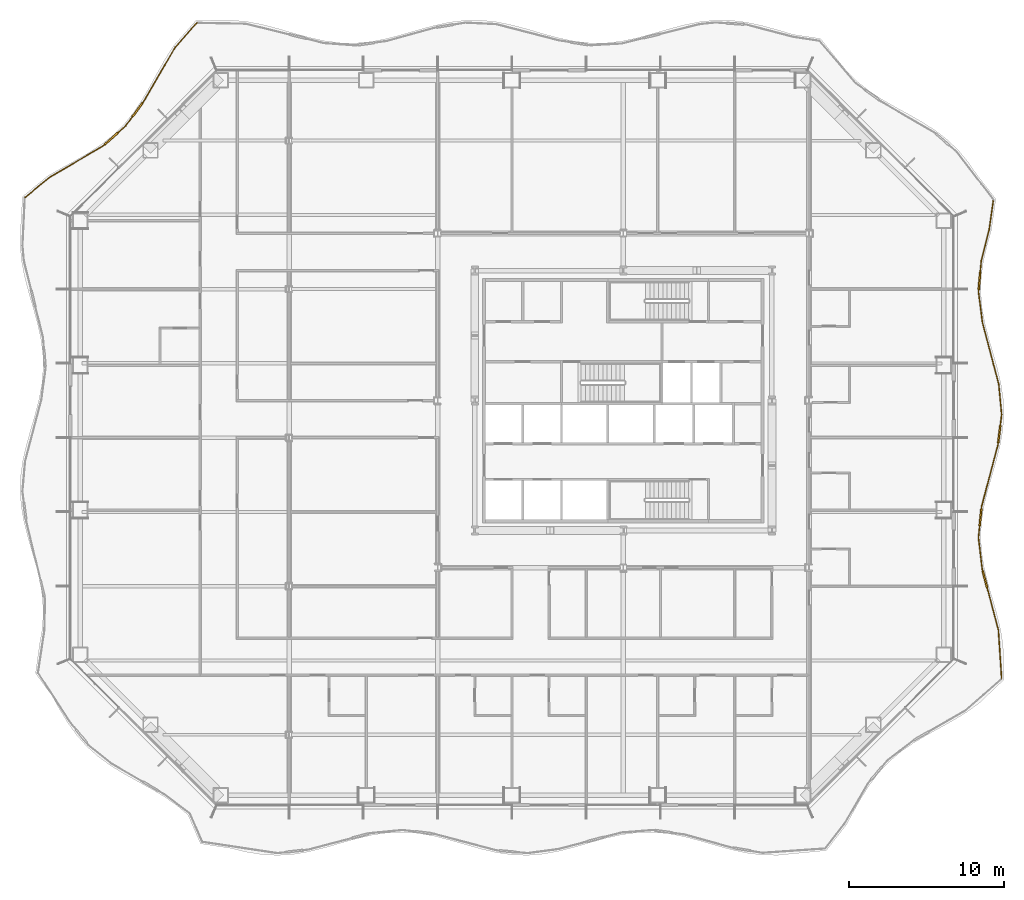
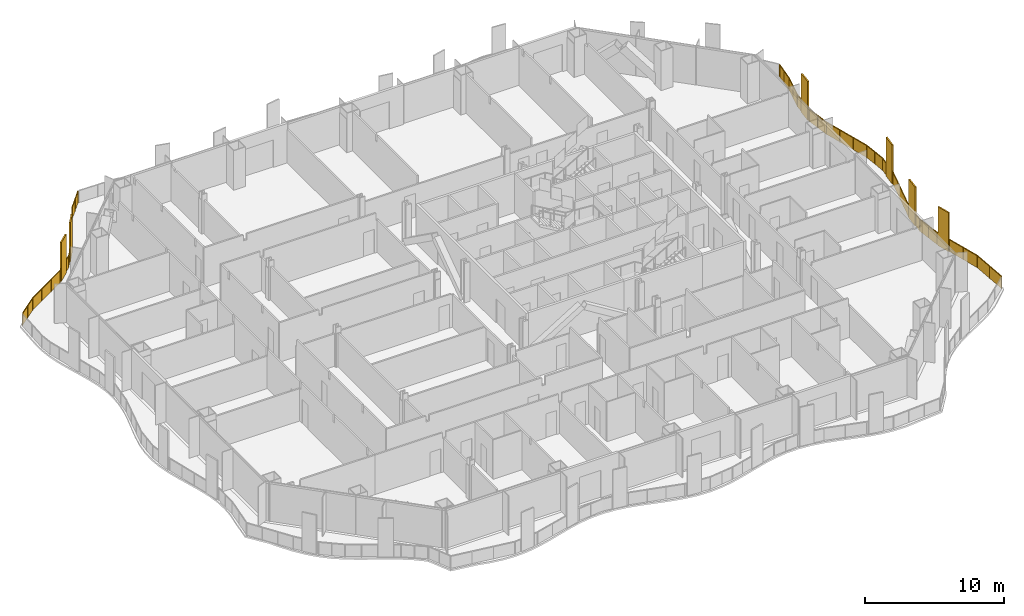
# One storey, part 19 of 21: 2 railings.
"""IFC4 building model written with IfcOpenShell, lengths in metres."""

from ifc_helpers import new_model, si_unit, direction, frame, origin, origin_2d, place, context, subcontext, project, spatial, polyline, rectangle, outline, extrude, material, type_object, element, save


model = new_model("IFC4")

# Units and contexts
model_context = context("Model", 3, precision=1e-05, world=origin(), true_north=direction((0.0, 1.0)))
body_context = subcontext(model_context, "Body", "Model", "MODEL_VIEW")
ifc_project = project(units=[si_unit("LENGTHUNIT", "METRE"), si_unit("AREAUNIT", "SQUARE_METRE"), si_unit("VOLUMEUNIT", "CUBIC_METRE"), si_unit("PLANEANGLEUNIT", "RADIAN"), si_unit("MASSUNIT", "GRAM", prefix="KILO")], contexts=[model_context])

# Site, building, storey
site_placement = place(None, origin())
site = spatial("IfcSite", under=ifc_project, at=site_placement, CompositionType="ELEMENT")
building_placement = place(site_placement, origin())
building = spatial("IfcBuilding", under=site, at=building_placement, Name="Cairn Pilgrim Tower", CompositionType="ELEMENT")
storey_placement = place(building_placement, frame((0.0, 0.0, 43.800048828125)))
storey = spatial("IfcBuildingStorey", under=building, at=storey_placement, Name="L08", CompositionType="ELEMENT", Elevation=43.800048828125)

# Railings
ifc_material = material(Name="Bronze anodised aluminium rail, posts and fin screens with laminated glass infill", Category="aluminium")
railing_type = type_object("IfcRailingType", Name="BALCONY GUARD WITH FIN SCREENS", PredefinedType="GUARDRAIL", material=ifc_material)
railing_1_placement = place(storey_placement, frame((31.6455078125, -15.57861328125, 0.0)))
element("IfcRailing", 1, at=railing_1_placement, inside=storey, type_object=railing_type, Name="Balcony guard BGF-3 with fin screens", PredefinedType="GUARDRAIL", context=body_context, shape_type="SweptSolid", body=[
    extrude(rectangle(XDim=0.050048828125, YDim=0.050048828125, at=origin_2d()), frame((0.0, 0.0, 1.0751953125), z_axis=(-0.065551006048, 0.997849219875, 0.0), x_axis=(-0.997849219875, -0.065551006048, 0.0)), (0.0, 0.0, 1.0), 3.147216796875),
    extrude(rectangle(XDim=1.10009765625, YDim=0.110107421875, at=origin_2d()), frame((-1.080078125, 6.4326171875, 0.0), z_axis=(0.0, 0.0, 1.0), x_axis=(-0.256555993458, 0.966529369559, 0.0)), (0.0, 0.0, 1.0), 3.39990234375),
    extrude(rectangle(XDim=0.050048828125, YDim=0.050048828125, at=origin_2d()), frame((-0.206298828125, 3.140380859375, 1.0751953125), z_axis=(-0.256555993458, 0.966529369559, 0.0), x_axis=(-0.966529369559, -0.256555993458, 0.0)), (0.0, 0.0, 1.0), 2.856201171875),
    extrude(rectangle(XDim=0.050048828125, YDim=0.050048828125, at=origin_2d()), frame((-1.22119140625, 6.964111328125, 1.0751953125), z_axis=(-0.256555993458, 0.966529369559, 0.0), x_axis=(-0.966529369559, -0.256555993458, 0.0)), (0.0, 0.0, 1.0), 0.150146484375),
    extrude(rectangle(XDim=0.050048828125, YDim=0.050048828125, at=origin_2d()), frame((-1.259765625, 7.109130859375, 1.0751953125), z_axis=(-0.116589668222, 0.993180169588, 0.0), x_axis=(-0.993180169588, -0.116589668222, 0.0)), (0.0, 0.0, 1.0), 2.027099609375),
    extrude(rectangle(XDim=1.10009765625, YDim=0.110107421875, at=origin_2d()), frame((-1.363037109375, 10.440185546875, 0.0), z_axis=(0.0, 0.0, 1.0), x_axis=(0.100458912253, 0.994941207785, 0.0)), (0.0, 0.0, 1.0), 3.39990234375),
    extrude(rectangle(XDim=0.050048828125, YDim=0.050048828125, at=origin_2d()), frame((-1.49609375, 9.122314453125, 1.0751953125), z_axis=(0.100458912253, 0.994941207785, 0.0), x_axis=(-0.994941207785, 0.100458912253, 0.0)), (0.0, 0.0, 1.0), 0.7744140625),
    extrude(rectangle(XDim=0.050048828125, YDim=0.050048828125, at=origin_2d()), frame((-1.307861328125, 10.9873046875, 1.0751953125), z_axis=(0.100458912253, 0.994941207785, 0.0), x_axis=(-0.994941207785, 0.100458912253, 0.0)), (0.0, 0.0, 1.0), 0.14990234375),
    extrude(rectangle(XDim=0.050048828125, YDim=0.050048828125, at=origin_2d()), frame((-1.292724609375, 11.136474609375, 1.0751953125), z_axis=(0.256453944866, 0.966556451617, 0.0), x_axis=(-0.966556451617, 0.256453944866, 0.0)), (0.0, 0.0, 1.0), 4.111572265625),
    extrude(rectangle(XDim=1.10009765625, YDim=0.110107421875, at=origin_2d()), frame((-0.15283203125, 15.80517578125, 0.0), z_axis=(0.0, 0.0, 1.0), x_axis=(0.122040892864, 0.992525072967, 0.0)), (0.0, 0.0, 1.0), 3.39990234375),
    extrude(rectangle(XDim=0.050048828125, YDim=0.050048828125, at=origin_2d()), frame((-0.23828125, 15.110595703125, 1.0751953125), z_axis=(0.122040892864, 0.992525072967, 0.0), x_axis=(-0.992525072967, 0.122040892864, 0.0)), (0.0, 0.0, 1.0), 0.14990234375),
    extrude(rectangle(XDim=0.050048828125, YDim=0.050048828125, at=origin_2d()), frame((-0.085693359375, 16.35107421875, 1.0751953125), z_axis=(0.122040892864, 0.992525072967, 0.0), x_axis=(-0.992525072967, 0.122040892864, 0.0)), (0.0, 0.0, 1.0), 0.724609375),
    extrude(rectangle(XDim=0.050048828125, YDim=0.050048828125, at=origin_2d()), frame((0.002685546875, 17.0703125, 1.0751953125), z_axis=(-0.094721215654, 0.995503837916, 0.0), x_axis=(-0.995503837916, -0.094721215654, 0.0)), (0.0, 0.0, 1.0), 1.966552734375),
    extrude(rectangle(XDim=0.050048828125, YDim=0.050048828125, at=origin_2d()), frame((-0.18359375, 19.028076171875, 1.0751953125), z_axis=(-0.256149073631, 0.966637290858, 0.0), x_axis=(-0.966637290858, -0.256149073631, 0.0)), (0.0, 0.0, 1.0), 4.10693359375),
    extrude(rectangle(XDim=0.050048828125, YDim=0.050048828125, at=origin_2d()), frame((-1.235595703125, 22.998046875, 1.0751953125), z_axis=(-0.12755894813, 0.991830991022, 0.0), x_axis=(-0.991830991022, -0.12755894813, 0.0)), (0.0, 0.0, 1.0), 2.02880859375),
    extrude(rectangle(XDim=1.10009765625, YDim=0.110107421875, at=origin_2d()), frame((-1.43212890625, 25.707275390625, 0.0), z_axis=(0.0, 0.0, 1.0), x_axis=(0.088848531032, 0.996045148843, 0.0)), (0.0, 0.0, 1.0), 3.39990234375),
    extrude(rectangle(XDim=0.050048828125, YDim=0.050048828125, at=origin_2d()), frame((-1.494384765625, 25.01025390625, 1.0751953125), z_axis=(0.088848531032, 0.996045148843, 0.0), x_axis=(-0.996045148843, 0.088848531032, 0.0)), (0.0, 0.0, 1.0), 0.14990234375),
    extrude(rectangle(XDim=0.050048828125, YDim=0.050048828125, at=origin_2d()), frame((-1.38330078125, 26.255126953125, 1.0751953125), z_axis=(0.088848531032, 0.996045148843, 0.0), x_axis=(-0.996045148843, 0.088848531032, 0.0)), (0.0, 0.0, 1.0), 0.7724609375),
    extrude(rectangle(XDim=0.050048828125, YDim=0.050048828125, at=origin_2d()), frame((-1.314697265625, 27.024658203125, 1.0751953125), z_axis=(0.247342884955, 0.968928014489, 0.0), x_axis=(-0.968928014489, 0.247342884955, 0.0)), (0.0, 0.0, 1.0), 2.053955078125),
    extrude(rectangle(XDim=0.050048828125, YDim=0.050048828125, at=origin_2d()), frame((-0.806640625, 29.014892578125, 1.0751953125), z_axis=(0.14167218954, 0.989913627904, 0.0), x_axis=(-0.989913627904, 0.14167218954, 0.0)), (0.0, 0.0, 1.0), 1.90771484375),
    extrude(rectangle(XDim=0.050048828125, YDim=0.050048828125, at=origin_2d()), origin(), (0.0, 0.0, 1.0), 1.050048828125),
    extrude(rectangle(XDim=0.050048828125, YDim=0.050048828125, at=origin_2d()), frame((-0.10302734375, 1.5703125, 0.0)), (0.0, 0.0, 1.0), 1.050048828125),
    extrude(rectangle(XDim=0.050048828125, YDim=0.050048828125, at=origin_2d()), frame((-0.206298828125, 3.140380859375, 0.0)), (0.0, 0.0, 1.0), 1.050048828125),
    extrude(rectangle(XDim=0.050048828125, YDim=0.050048828125, at=origin_2d()), frame((-0.569580078125, 4.508544921875, 0.0)), (0.0, 0.0, 1.0), 1.050048828125),
    extrude(rectangle(XDim=0.050048828125, YDim=0.050048828125, at=origin_2d()), frame((-0.9326171875, 5.876708984375, 0.0)), (0.0, 0.0, 1.0), 1.050048828125),
    extrude(rectangle(XDim=0.050048828125, YDim=0.050048828125, at=origin_2d()), frame((-1.227783203125, 6.98828125, 0.0)), (0.0, 0.0, 1.0), 1.050048828125),
    extrude(rectangle(XDim=0.050048828125, YDim=0.050048828125, at=origin_2d()), frame((-1.259765625, 7.109130859375, 0.0)), (0.0, 0.0, 1.0), 1.050048828125),
    extrude(rectangle(XDim=0.050048828125, YDim=0.050048828125, at=origin_2d()), frame((-1.3779296875, 8.11572265625, 0.0)), (0.0, 0.0, 1.0), 1.050048828125),
    extrude(rectangle(XDim=0.050048828125, YDim=0.050048828125, at=origin_2d()), frame((-1.49609375, 9.122314453125, 0.0)), (0.0, 0.0, 1.0), 1.050048828125),
    extrude(rectangle(XDim=0.050048828125, YDim=0.050048828125, at=origin_2d()), frame((-1.4208984375, 9.867919921875, 0.0)), (0.0, 0.0, 1.0), 1.050048828125),
    extrude(rectangle(XDim=0.050048828125, YDim=0.050048828125, at=origin_2d()), frame((-1.30517578125, 11.01220703125, 0.0)), (0.0, 0.0, 1.0), 1.050048828125),
    extrude(rectangle(XDim=0.050048828125, YDim=0.050048828125, at=origin_2d()), frame((-1.292724609375, 11.136474609375, 0.0)), (0.0, 0.0, 1.0), 1.050048828125),
    extrude(rectangle(XDim=0.050048828125, YDim=0.050048828125, at=origin_2d()), frame((-0.941162109375, 12.461181640625, 0.0)), (0.0, 0.0, 1.0), 1.050048828125),
    extrude(rectangle(XDim=0.050048828125, YDim=0.050048828125, at=origin_2d()), frame((-0.58984375, 13.785888671875, 0.0)), (0.0, 0.0, 1.0), 1.050048828125),
    extrude(rectangle(XDim=0.050048828125, YDim=0.050048828125, at=origin_2d()), frame((-0.23828125, 15.110595703125, 0.0)), (0.0, 0.0, 1.0), 1.050048828125),
    extrude(rectangle(XDim=0.050048828125, YDim=0.050048828125, at=origin_2d()), frame((-0.22314453125, 15.234619140625, 0.0)), (0.0, 0.0, 1.0), 1.050048828125),
    extrude(rectangle(XDim=0.050048828125, YDim=0.050048828125, at=origin_2d()), frame((-0.082763671875, 16.3759765625, 0.0)), (0.0, 0.0, 1.0), 1.050048828125),
    extrude(rectangle(XDim=0.050048828125, YDim=0.050048828125, at=origin_2d()), frame((0.002685546875, 17.0703125, 0.0)), (0.0, 0.0, 1.0), 1.050048828125),
    extrude(rectangle(XDim=0.050048828125, YDim=0.050048828125, at=origin_2d()), frame((-0.09033203125, 18.04931640625, 0.0)), (0.0, 0.0, 1.0), 1.050048828125),
    extrude(rectangle(XDim=0.050048828125, YDim=0.050048828125, at=origin_2d()), frame((-0.18359375, 19.028076171875, 0.0)), (0.0, 0.0, 1.0), 1.050048828125),
    extrude(rectangle(XDim=0.050048828125, YDim=0.050048828125, at=origin_2d()), frame((-0.5341796875, 20.351318359375, 0.0)), (0.0, 0.0, 1.0), 1.050048828125),
    extrude(rectangle(XDim=0.050048828125, YDim=0.050048828125, at=origin_2d()), frame((-0.885009765625, 21.6748046875, 0.0)), (0.0, 0.0, 1.0), 1.050048828125),
    extrude(rectangle(XDim=0.050048828125, YDim=0.050048828125, at=origin_2d()), frame((-1.235595703125, 22.998046875, 0.0)), (0.0, 0.0, 1.0), 1.050048828125),
    extrude(rectangle(XDim=0.050048828125, YDim=0.050048828125, at=origin_2d()), frame((-1.364990234375, 24.004150390625, 0.0)), (0.0, 0.0, 1.0), 1.050048828125),
    extrude(rectangle(XDim=0.050048828125, YDim=0.050048828125, at=origin_2d()), frame((-1.494384765625, 25.01025390625, 0.0)), (0.0, 0.0, 1.0), 1.050048828125),
    extrude(rectangle(XDim=0.050048828125, YDim=0.050048828125, at=origin_2d()), frame((-1.4833984375, 25.134521484375, 0.0)), (0.0, 0.0, 1.0), 1.050048828125),
    extrude(rectangle(XDim=0.050048828125, YDim=0.050048828125, at=origin_2d()), frame((-1.381103515625, 26.280029296875, 0.0)), (0.0, 0.0, 1.0), 1.050048828125),
    extrude(rectangle(XDim=0.050048828125, YDim=0.050048828125, at=origin_2d()), frame((-1.314697265625, 27.024658203125, 0.0)), (0.0, 0.0, 1.0), 1.050048828125),
    extrude(rectangle(XDim=0.050048828125, YDim=0.050048828125, at=origin_2d()), frame((-1.060546875, 28.019775390625, 0.0)), (0.0, 0.0, 1.0), 1.050048828125),
    extrude(rectangle(XDim=0.050048828125, YDim=0.050048828125, at=origin_2d()), frame((-0.806640625, 29.014892578125, 0.0)), (0.0, 0.0, 1.0), 1.050048828125),
    extrude(rectangle(XDim=0.050048828125, YDim=0.050048828125, at=origin_2d()), frame((-0.67138671875, 29.958984375, 0.0)), (0.0, 0.0, 1.0), 1.050048828125),
    extrude(rectangle(XDim=0.050048828125, YDim=0.050048828125, at=origin_2d()), frame((-0.536376953125, 30.9033203125, 0.0)), (0.0, 0.0, 1.0), 1.050048828125),
    extrude(outline(polyline([(0.02490234375, 0.0), (1.548583984375, 0.0), (1.548583984375, 1.050048828125), (0.02490234375, 1.050048828125), (0.02490234375, 0.0)])), frame((-0.005859375, -0.00048828125, 0.0), z_axis=(0.997849219875, 0.065551006048, 0.0), x_axis=(-0.065551006048, 0.997849219875, 0.0)), (0.0, 0.0, 1.0), 0.011962890625),
    extrude(outline(polyline([(0.02490234375, 0.0), (1.548583984375, 0.0), (1.548583984375, 1.050048828125), (0.02490234375, 1.050048828125), (0.02490234375, 0.0)])), frame((-0.109130859375, 1.56982421875, 0.0), z_axis=(0.997849219875, 0.065551006048, 0.0), x_axis=(-0.065551006048, 0.997849219875, 0.0)), (0.0, 0.0, 1.0), 0.011962890625),
    extrude(outline(polyline([(0.02490234375, 0.0), (1.390625, 0.0), (1.390625, 1.050048828125), (0.02490234375, 1.050048828125), (0.02490234375, 0.0)])), frame((-0.212158203125, 3.138916015625, 0.0), z_axis=(0.966529369559, 0.256555993458, 0.0), x_axis=(-0.256555993458, 0.966529369559, 0.0)), (0.0, 0.0, 1.0), 0.011962890625),
    extrude(outline(polyline([(0.02490234375, 0.0), (1.390625, 0.0), (1.390625, 1.050048828125), (0.02490234375, 1.050048828125), (0.02490234375, 0.0)])), frame((-0.5751953125, 4.507080078125, 0.0), z_axis=(0.966529369559, 0.256555993458, 0.0), x_axis=(-0.256555993458, 0.966529369559, 0.0)), (0.0, 0.0, 1.0), 0.011962890625),
    extrude(outline(polyline([(0.02490234375, 0.0), (0.10009765625, 0.0), (0.10009765625, 1.050048828125), (0.02490234375, 1.050048828125), (0.02490234375, 0.0)])), frame((-1.2333984375, 6.98681640625, 0.0), z_axis=(0.966529369559, 0.256555993458, 0.0), x_axis=(-0.256555993458, 0.966529369559, 0.0)), (0.0, 0.0, 1.0), 0.011962890625),
    extrude(outline(polyline([(0.02490234375, 0.0), (0.988525390625, 0.0), (0.988525390625, 1.050048828125), (0.02490234375, 1.050048828125), (0.02490234375, 0.0)])), frame((-1.265625, 7.1083984375, 0.0), z_axis=(0.993180169588, 0.116589668222, 0.0), x_axis=(-0.116589668222, 0.993180169588, 0.0)), (0.0, 0.0, 1.0), 0.011962890625),
    extrude(outline(polyline([(0.02490234375, 0.0), (0.988525390625, 0.0), (0.988525390625, 1.050048828125), (0.02490234375, 1.050048828125), (0.02490234375, 0.0)])), frame((-1.3837890625, 8.114990234375, 0.0), z_axis=(0.993180169588, 0.116589668222, 0.0), x_axis=(-0.116589668222, 0.993180169588, 0.0)), (0.0, 0.0, 1.0), 0.011962890625),
    extrude(outline(polyline([(0.02490234375, 0.0), (0.724365234375, 0.0), (0.724365234375, 1.050048828125), (0.02490234375, 1.050048828125), (0.02490234375, 0.0)])), frame((-1.501953125, 9.122802734375, 0.0), z_axis=(0.994941207785, -0.100458912253, 0.0), x_axis=(0.100458912253, 0.994941207785, 0.0)), (0.0, 0.0, 1.0), 0.011962890625),
    extrude(outline(polyline([(0.02490234375, 0.0), (0.099853515625, 0.0), (0.099853515625, 1.050048828125), (0.02490234375, 1.050048828125), (0.02490234375, 0.0)])), frame((-1.311279296875, 11.0126953125, 0.0), z_axis=(0.994941207785, -0.100458912253, 0.0), x_axis=(0.100458912253, 0.994941207785, 0.0)), (0.0, 0.0, 1.0), 0.011962890625),
    extrude(outline(polyline([(0.02490234375, 0.0), (1.345458984375, 0.0), (1.345458984375, 1.050048828125), (0.02490234375, 1.050048828125), (0.02490234375, 0.0)])), frame((-1.298583984375, 11.137939453125, 0.0), z_axis=(0.966556451617, -0.256453944866, 0.0), x_axis=(0.256453944866, 0.966556451617, 0.0)), (0.0, 0.0, 1.0), 0.011962890625),
    extrude(outline(polyline([(0.02490234375, 0.0), (1.345458984375, 0.0), (1.345458984375, 1.050048828125), (0.02490234375, 1.050048828125), (0.02490234375, 0.0)])), frame((-0.947021484375, 12.462646484375, 0.0), z_axis=(0.966556451617, -0.256453944866, 0.0), x_axis=(0.256453944866, 0.966556451617, 0.0)), (0.0, 0.0, 1.0), 0.011962890625),
    extrude(outline(polyline([(0.02490234375, 0.0), (1.345458984375, 0.0), (1.345458984375, 1.050048828125), (0.02490234375, 1.050048828125), (0.02490234375, 0.0)])), frame((-0.595458984375, 13.787353515625, 0.0), z_axis=(0.966556451617, -0.256453944866, 0.0), x_axis=(0.256453944866, 0.966556451617, 0.0)), (0.0, 0.0, 1.0), 0.011962890625),
    extrude(outline(polyline([(0.02490234375, 0.0), (0.099853515625, 0.0), (0.099853515625, 1.050048828125), (0.02490234375, 1.050048828125), (0.02490234375, 0.0)])), frame((-0.244140625, 15.111328125, 0.0), z_axis=(0.992525072967, -0.122040892864, 0.0), x_axis=(0.122040892864, 0.992525072967, 0.0)), (0.0, 0.0, 1.0), 0.011962890625),
    extrude(outline(polyline([(0.02490234375, 0.0), (0.674560546875, 0.0), (0.674560546875, 1.050048828125), (0.02490234375, 1.050048828125), (0.02490234375, 0.0)])), frame((-0.088623046875, 16.376708984375, 0.0), z_axis=(0.992525072967, -0.122040892864, 0.0), x_axis=(0.122040892864, 0.992525072967, 0.0)), (0.0, 0.0, 1.0), 0.011962890625),
    extrude(outline(polyline([(0.02490234375, 0.0), (0.958251953125, 0.0), (0.958251953125, 1.050048828125), (0.02490234375, 1.050048828125), (0.02490234375, 0.0)])), frame((-0.003173828125, 17.06982421875, 0.0), z_axis=(0.995503837916, 0.094721215654, 0.0), x_axis=(-0.094721215654, 0.995503837916, 0.0)), (0.0, 0.0, 1.0), 0.011962890625),
    extrude(outline(polyline([(0.02490234375, 0.0), (0.958251953125, 0.0), (0.958251953125, 1.050048828125), (0.02490234375, 1.050048828125), (0.02490234375, 0.0)])), frame((-0.096435546875, 18.048583984375, 0.0), z_axis=(0.995503837916, 0.094721215654, 0.0), x_axis=(-0.094721215654, 0.995503837916, 0.0)), (0.0, 0.0, 1.0), 0.011962890625),
    extrude(outline(polyline([(0.02490234375, 0.0), (1.343994140625, 0.0), (1.343994140625, 1.050048828125), (0.02490234375, 1.050048828125), (0.02490234375, 0.0)])), frame((-0.189453125, 19.026611328125, 0.0), z_axis=(0.966637290858, 0.256149073631, 0.0), x_axis=(-0.256149073631, 0.966637290858, 0.0)), (0.0, 0.0, 1.0), 0.011962890625),
    extrude(outline(polyline([(0.02490234375, 0.0), (1.343994140625, 0.0), (1.343994140625, 1.050048828125), (0.02490234375, 1.050048828125), (0.02490234375, 0.0)])), frame((-0.5400390625, 20.349853515625, 0.0), z_axis=(0.966637290858, 0.256149073631, 0.0), x_axis=(-0.256149073631, 0.966637290858, 0.0)), (0.0, 0.0, 1.0), 0.011962890625),
    extrude(outline(polyline([(0.02490234375, 0.0), (1.343994140625, 0.0), (1.343994140625, 1.050048828125), (0.02490234375, 1.050048828125), (0.02490234375, 0.0)])), frame((-0.890625, 21.673095703125, 0.0), z_axis=(0.966637290858, 0.256149073631, 0.0), x_axis=(-0.256149073631, 0.966637290858, 0.0)), (0.0, 0.0, 1.0), 0.011962890625),
    extrude(outline(polyline([(0.02490234375, 0.0), (0.9892578125, 0.0), (0.9892578125, 1.050048828125), (0.02490234375, 1.050048828125), (0.02490234375, 0.0)])), frame((-1.241455078125, 22.997314453125, 0.0), z_axis=(0.991830991022, 0.12755894813, 0.0), x_axis=(-0.12755894813, 0.991830991022, 0.0)), (0.0, 0.0, 1.0), 0.011962890625),
    extrude(outline(polyline([(0.02490234375, 0.0), (0.9892578125, 0.0), (0.9892578125, 1.050048828125), (0.02490234375, 1.050048828125), (0.02490234375, 0.0)])), frame((-1.370849609375, 24.00341796875, 0.0), z_axis=(0.991830991022, 0.12755894813, 0.0), x_axis=(-0.12755894813, 0.991830991022, 0.0)), (0.0, 0.0, 1.0), 0.011962890625),
    extrude(outline(polyline([(0.02490234375, 0.0), (0.099853515625, 0.0), (0.099853515625, 1.050048828125), (0.02490234375, 1.050048828125), (0.02490234375, 0.0)])), frame((-1.500244140625, 25.0107421875, 0.0), z_axis=(0.996045148843, -0.088848531032, 0.0), x_axis=(0.088848531032, 0.996045148843, 0.0)), (0.0, 0.0, 1.0), 0.011962890625),
    extrude(outline(polyline([(0.02490234375, 0.0), (0.722412109375, 0.0), (0.722412109375, 1.050048828125), (0.02490234375, 1.050048828125), (0.02490234375, 0.0)])), frame((-1.386962890625, 26.28076171875, 0.0), z_axis=(0.996045148843, -0.088848531032, 0.0), x_axis=(0.088848531032, 0.996045148843, 0.0)), (0.0, 0.0, 1.0), 0.011962890625),
    extrude(outline(polyline([(0.02490234375, 0.0), (1.001953125, 0.0), (1.001953125, 1.050048828125), (0.02490234375, 1.050048828125), (0.02490234375, 0.0)])), frame((-1.320556640625, 27.026123046875, 0.0), z_axis=(0.968928014489, -0.247342884955, 0.0), x_axis=(0.247342884955, 0.968928014489, 0.0)), (0.0, 0.0, 1.0), 0.011962890625),
    extrude(outline(polyline([(0.02490234375, 0.0), (1.001953125, 0.0), (1.001953125, 1.050048828125), (0.02490234375, 1.050048828125), (0.02490234375, 0.0)])), frame((-1.06640625, 28.021240234375, 0.0), z_axis=(0.968928014489, -0.247342884955, 0.0), x_axis=(0.247342884955, 0.968928014489, 0.0)), (0.0, 0.0, 1.0), 0.011962890625),
    extrude(outline(polyline([(0.02490234375, 0.0), (0.9287109375, 0.0), (0.9287109375, 1.050048828125), (0.02490234375, 1.050048828125), (0.02490234375, 0.0)])), frame((-0.8125, 29.015625, 0.0), z_axis=(0.989913627904, -0.14167218954, 0.0), x_axis=(0.14167218954, 0.989913627904, 0.0)), (0.0, 0.0, 1.0), 0.011962890625),
    extrude(outline(polyline([(0.02490234375, 0.0), (0.9287109375, 0.0), (0.9287109375, 1.050048828125), (0.02490234375, 1.050048828125), (0.02490234375, 0.0)])), frame((-0.677490234375, 29.9599609375, 0.0), z_axis=(0.989913627904, -0.14167218954, 0.0), x_axis=(0.14167218954, 0.989913627904, 0.0)), (0.0, 0.0, 1.0), 0.011962890625),
])
railing_2_placement = place(storey_placement, frame((-20.36279296875, 26.816162109375, 0.0)))
element("IfcRailing", 2, at=railing_2_placement, inside=storey, type_object=railing_type, Name="Balcony guard BGF-6 with fin screens", PredefinedType="GUARDRAIL", context=body_context, shape_type="SweptSolid", body=[
    extrude(rectangle(XDim=0.050048828125, YDim=0.050048828125, at=origin_2d()), frame((0.0, 0.0, 1.0751953125), z_axis=(-0.663247382076, -0.748400233945, 0.0), x_axis=(0.748400233945, -0.663247382076, 0.0)), (0.0, 0.0, 1.0), 2.118896484375),
    extrude(rectangle(XDim=0.050048828125, YDim=0.050048828125, at=origin_2d()), frame((-1.4052734375, -1.585693359375, 1.0751953125), z_axis=(-0.502786770552, -0.864410471569, 0.0), x_axis=(0.864410471569, -0.502786770552, 0.0)), (0.0, 0.0, 1.0), 4.005615234375),
    extrude(rectangle(XDim=1.10009765625, YDim=0.110107421875, at=origin_2d()), frame((-3.833740234375, -5.6123046875, 0.0), z_axis=(0.0, 0.0, 1.0), x_axis=(-0.592082951766, -0.805877024258, 0.0)), (0.0, 0.0, 1.0), 3.39990234375),
    extrude(rectangle(XDim=0.050048828125, YDim=0.050048828125, at=origin_2d()), frame((-3.419189453125, -5.048095703125, 1.0751953125), z_axis=(-0.592082951766, -0.805877024258, 0.0), x_axis=(0.805877024258, -0.592082951766, 0.0)), (0.0, 0.0, 1.0), 0.14990234375),
    extrude(rectangle(XDim=0.050048828125, YDim=0.050048828125, at=origin_2d()), frame((-4.159423828125, -6.055419921875, 1.0751953125), z_axis=(-0.592082951766, -0.805877024258, 0.0), x_axis=(0.805877024258, -0.592082951766, 0.0)), (0.0, 0.0, 1.0), 0.73583984375),
    extrude(rectangle(XDim=1.10009765625, YDim=0.110107421875, at=origin_2d()), frame((-5.545166015625, -7.495849609375, 0.0), z_axis=(0.0, 0.0, 1.0), x_axis=(-0.746350250463, -0.665553381506, 0.0)), (0.0, 0.0, 1.0), 3.39990234375),
    extrude(rectangle(XDim=0.050048828125, YDim=0.050048828125, at=origin_2d()), frame((-4.594970703125, -6.6484375, 1.0751953125), z_axis=(-0.746350250463, -0.665553381506, 0.0), x_axis=(0.665553381506, -0.746350250463, 0.0)), (0.0, 0.0, 1.0), 0.723388671875),
    extrude(rectangle(XDim=0.050048828125, YDim=0.050048828125, at=origin_2d()), frame((-5.955810546875, -7.86181640625, 1.0751953125), z_axis=(-0.746350250463, -0.665553381506, 0.0), x_axis=(0.665553381506, -0.746350250463, 0.0)), (0.0, 0.0, 1.0), 0.14990234375),
    extrude(rectangle(XDim=0.050048828125, YDim=0.050048828125, at=origin_2d()), frame((-6.067626953125, -7.961669921875, 1.0751953125), z_axis=(-0.862293876321, -0.506408205759, 0.0), x_axis=(0.506408205759, -0.862293876321, 0.0)), (0.0, 0.0, 1.0), 4.010986328125),
    extrude(rectangle(XDim=0.050048828125, YDim=0.050048828125, at=origin_2d()), frame((-9.5263671875, -9.992919921875, 1.0751953125), z_axis=(-0.773289124136, -0.634053570681, 0.0), x_axis=(0.634053570681, -0.773289124136, 0.0)), (0.0, 0.0, 1.0), 2.02001953125),
    extrude(rectangle(XDim=0.050048828125, YDim=0.050048828125, at=origin_2d()), origin(), (0.0, 0.0, 1.0), 1.050048828125),
    extrude(rectangle(XDim=0.050048828125, YDim=0.050048828125, at=origin_2d()), frame((-0.70263671875, -0.79296875, 0.0)), (0.0, 0.0, 1.0), 1.050048828125),
    extrude(rectangle(XDim=0.050048828125, YDim=0.050048828125, at=origin_2d()), frame((-1.4052734375, -1.585693359375, 0.0)), (0.0, 0.0, 1.0), 1.050048828125),
    extrude(rectangle(XDim=0.050048828125, YDim=0.050048828125, at=origin_2d()), frame((-2.07666015625, -2.73974609375, 0.0)), (0.0, 0.0, 1.0), 1.050048828125),
    extrude(rectangle(XDim=0.050048828125, YDim=0.050048828125, at=origin_2d()), frame((-2.747802734375, -3.89404296875, 0.0)), (0.0, 0.0, 1.0), 1.050048828125),
    extrude(rectangle(XDim=0.050048828125, YDim=0.050048828125, at=origin_2d()), frame((-3.419189453125, -5.048095703125, 0.0)), (0.0, 0.0, 1.0), 1.050048828125),
    extrude(rectangle(XDim=0.050048828125, YDim=0.050048828125, at=origin_2d()), frame((-3.4931640625, -5.14892578125, 0.0)), (0.0, 0.0, 1.0), 1.050048828125),
    extrude(rectangle(XDim=0.050048828125, YDim=0.050048828125, at=origin_2d()), frame((-4.174072265625, -6.07568359375, 0.0)), (0.0, 0.0, 1.0), 1.050048828125),
    extrude(rectangle(XDim=0.050048828125, YDim=0.050048828125, at=origin_2d()), frame((-4.594970703125, -6.6484375, 0.0)), (0.0, 0.0, 1.0), 1.050048828125),
    extrude(rectangle(XDim=0.050048828125, YDim=0.050048828125, at=origin_2d()), frame((-5.1162109375, -7.11328125, 0.0)), (0.0, 0.0, 1.0), 1.050048828125),
    extrude(rectangle(XDim=0.050048828125, YDim=0.050048828125, at=origin_2d()), frame((-5.974365234375, -7.878662109375, 0.0)), (0.0, 0.0, 1.0), 1.050048828125),
    extrude(rectangle(XDim=0.050048828125, YDim=0.050048828125, at=origin_2d()), frame((-6.067626953125, -7.961669921875, 0.0)), (0.0, 0.0, 1.0), 1.050048828125),
    extrude(rectangle(XDim=0.050048828125, YDim=0.050048828125, at=origin_2d()), frame((-7.220458984375, -8.638671875, 0.0)), (0.0, 0.0, 1.0), 1.050048828125),
    extrude(rectangle(XDim=0.050048828125, YDim=0.050048828125, at=origin_2d()), frame((-8.37353515625, -9.31591796875, 0.0)), (0.0, 0.0, 1.0), 1.050048828125),
    extrude(rectangle(XDim=0.050048828125, YDim=0.050048828125, at=origin_2d()), frame((-9.5263671875, -9.992919921875, 0.0)), (0.0, 0.0, 1.0), 1.050048828125),
    extrude(rectangle(XDim=0.050048828125, YDim=0.050048828125, at=origin_2d()), frame((-10.307373046875, -10.63330078125, 0.0)), (0.0, 0.0, 1.0), 1.050048828125),
    extrude(rectangle(XDim=0.050048828125, YDim=0.050048828125, at=origin_2d()), frame((-11.08837890625, -11.273681640625, 0.0)), (0.0, 0.0, 1.0), 1.050048828125),
    extrude(outline(polyline([(0.02490234375, 0.0), (1.034423828125, 0.0), (1.034423828125, 1.050048828125), (0.02490234375, 1.050048828125), (0.02490234375, 0.0)])), frame((0.00439453125, -0.00390625, 0.0), z_axis=(-0.748400233945, 0.663247382076, 0.0), x_axis=(-0.663247382076, -0.748400233945, 0.0)), (0.0, 0.0, 1.0), 0.011962890625),
    extrude(outline(polyline([(0.02490234375, 0.0), (1.034423828125, 0.0), (1.034423828125, 1.050048828125), (0.02490234375, 1.050048828125), (0.02490234375, 0.0)])), frame((-0.6982421875, -0.796875, 0.0), z_axis=(-0.748400233945, 0.663247382076, 0.0), x_axis=(-0.663247382076, -0.748400233945, 0.0)), (0.0, 0.0, 1.0), 0.011962890625),
    extrude(outline(polyline([(0.02490234375, 0.0), (1.31005859375, 0.0), (1.31005859375, 1.050048828125), (0.02490234375, 1.050048828125), (0.02490234375, 0.0)])), frame((-1.400146484375, -1.588623046875, 0.0), z_axis=(-0.864410471569, 0.502786770552, 0.0), x_axis=(-0.502786770552, -0.864410471569, 0.0)), (0.0, 0.0, 1.0), 0.011962890625),
    extrude(outline(polyline([(0.02490234375, 0.0), (1.31005859375, 0.0), (1.31005859375, 1.050048828125), (0.02490234375, 1.050048828125), (0.02490234375, 0.0)])), frame((-2.0712890625, -2.742919921875, 0.0), z_axis=(-0.864410471569, 0.502786770552, 0.0), x_axis=(-0.502786770552, -0.864410471569, 0.0)), (0.0, 0.0, 1.0), 0.011962890625),
    extrude(outline(polyline([(0.02490234375, 0.0), (1.31005859375, 0.0), (1.31005859375, 1.050048828125), (0.02490234375, 1.050048828125), (0.02490234375, 0.0)])), frame((-2.74267578125, -3.89697265625, 0.0), z_axis=(-0.864410471569, 0.502786770552, 0.0), x_axis=(-0.502786770552, -0.864410471569, 0.0)), (0.0, 0.0, 1.0), 0.011962890625),
    extrude(outline(polyline([(0.02490234375, 0.0), (0.099853515625, 0.0), (0.099853515625, 1.050048828125), (0.02490234375, 1.050048828125), (0.02490234375, 0.0)])), frame((-3.414306640625, -5.0517578125, 0.0), z_axis=(-0.805877024258, 0.592082951766, 0.0), x_axis=(-0.592082951766, -0.805877024258, 0.0)), (0.0, 0.0, 1.0), 0.011962890625),
    extrude(outline(polyline([(0.02490234375, 0.0), (0.685791015625, 0.0), (0.685791015625, 1.050048828125), (0.02490234375, 1.050048828125), (0.02490234375, 0.0)])), frame((-4.169189453125, -6.0791015625, 0.0), z_axis=(-0.805877024258, 0.592082951766, 0.0), x_axis=(-0.592082951766, -0.805877024258, 0.0)), (0.0, 0.0, 1.0), 0.011962890625),
    extrude(outline(polyline([(0.02490234375, 0.0), (0.67333984375, 0.0), (0.67333984375, 1.050048828125), (0.02490234375, 1.050048828125), (0.02490234375, 0.0)])), frame((-4.591064453125, -6.65283203125, 0.0), z_axis=(-0.665553381506, 0.746350250463, 0.0), x_axis=(-0.746350250463, -0.665553381506, 0.0)), (0.0, 0.0, 1.0), 0.011962890625),
    extrude(outline(polyline([(0.02490234375, 0.0), (0.099853515625, 0.0), (0.099853515625, 1.050048828125), (0.02490234375, 1.050048828125), (0.02490234375, 0.0)])), frame((-5.970458984375, -7.883056640625, 0.0), z_axis=(-0.665553381506, 0.746350250463, 0.0), x_axis=(-0.746350250463, -0.665553381506, 0.0)), (0.0, 0.0, 1.0), 0.011962890625),
    extrude(outline(polyline([(0.02490234375, 0.0), (1.31201171875, 0.0), (1.31201171875, 1.050048828125), (0.02490234375, 1.050048828125), (0.02490234375, 0.0)])), frame((-6.064697265625, -7.966796875, 0.0), z_axis=(-0.506408205759, 0.862293876321, 0.0), x_axis=(-0.862293876321, -0.506408205759, 0.0)), (0.0, 0.0, 1.0), 0.011962890625),
    extrude(outline(polyline([(0.02490234375, 0.0), (1.31201171875, 0.0), (1.31201171875, 1.050048828125), (0.02490234375, 1.050048828125), (0.02490234375, 0.0)])), frame((-7.217529296875, -8.643798828125, 0.0), z_axis=(-0.506408205759, 0.862293876321, 0.0), x_axis=(-0.862293876321, -0.506408205759, 0.0)), (0.0, 0.0, 1.0), 0.011962890625),
    extrude(outline(polyline([(0.02490234375, 0.0), (1.31201171875, 0.0), (1.31201171875, 1.050048828125), (0.02490234375, 1.050048828125), (0.02490234375, 0.0)])), frame((-8.370361328125, -9.321044921875, 0.0), z_axis=(-0.506408205759, 0.862293876321, 0.0), x_axis=(-0.862293876321, -0.506408205759, 0.0)), (0.0, 0.0, 1.0), 0.011962890625),
    extrude(outline(polyline([(0.02490234375, 0.0), (0.98486328125, 0.0), (0.98486328125, 1.050048828125), (0.02490234375, 1.050048828125), (0.02490234375, 0.0)])), frame((-9.5224609375, -9.99755859375, 0.0), z_axis=(-0.634053570681, 0.773289124136, 0.0), x_axis=(-0.773289124136, -0.634053570681, 0.0)), (0.0, 0.0, 1.0), 0.011962890625),
    extrude(outline(polyline([(0.02490234375, 0.0), (0.98486328125, 0.0), (0.98486328125, 1.050048828125), (0.02490234375, 1.050048828125), (0.02490234375, 0.0)])), frame((-10.303466796875, -10.637939453125, 0.0), z_axis=(-0.634053570681, 0.773289124136, 0.0), x_axis=(-0.773289124136, -0.634053570681, 0.0)), (0.0, 0.0, 1.0), 0.011962890625),
])

save(model, "model.ifc")
